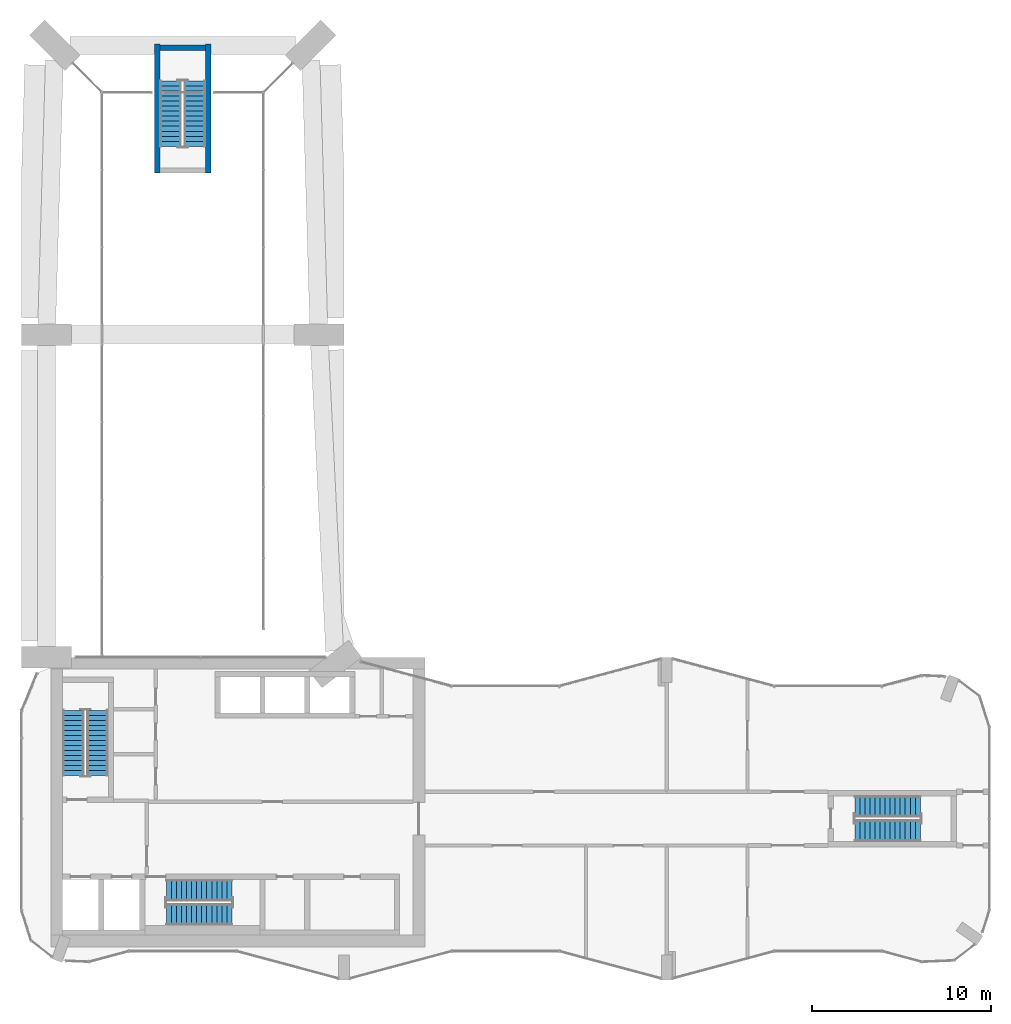
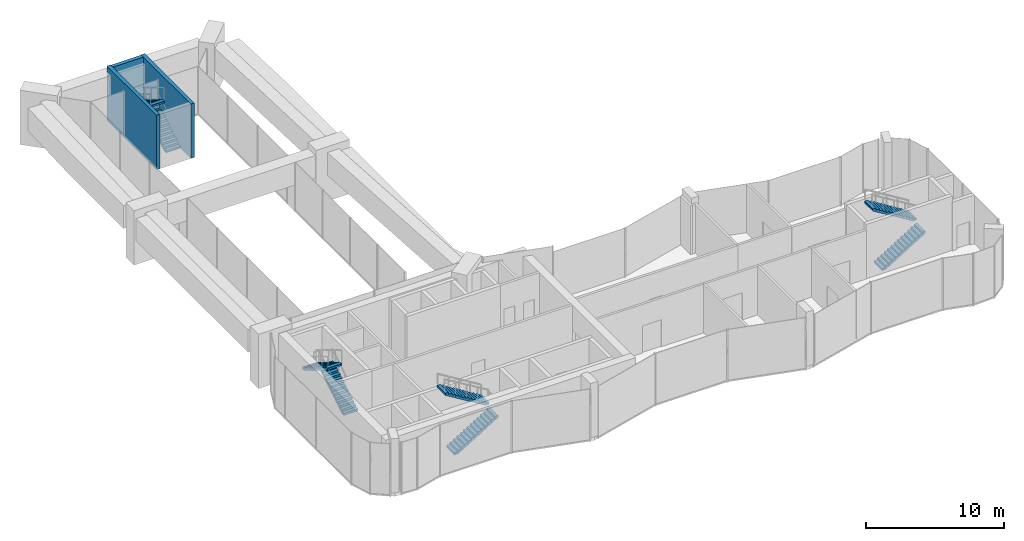
# One storey, part 11 of 13: 8 stair flights, 3 walls, 4 elements without a shape of their own.
"""IFC4 building model written with IfcOpenShell, lengths in metres."""

from ifc_helpers import new_model, si_unit, direction, frame, frame_2d, origin, place, context, subcontext, project, spatial, polyline, rectangle, outline, extrude, material, layer, layer_set, type_object, element, aggregate, save


model = new_model("IFC4")

# Units and contexts
model_context = context("Model", 3, precision=1e-05, world=origin(), true_north=direction((0.0, 1.0)))
body_context = subcontext(model_context, "Body", "Model", "MODEL_VIEW")
ifc_project = project(units=[si_unit("LENGTHUNIT", "METRE"), si_unit("AREAUNIT", "SQUARE_METRE"), si_unit("VOLUMEUNIT", "CUBIC_METRE"), si_unit("PLANEANGLEUNIT", "RADIAN"), si_unit("MASSUNIT", "GRAM", prefix="KILO")], contexts=[model_context])

# Site, building, storey
site_placement = place(None, origin())
site = spatial("IfcSite", under=ifc_project, at=site_placement, CompositionType="ELEMENT")
building_placement = place(site_placement, origin())
building = spatial("IfcBuilding", under=site, at=building_placement, Name="Plateau Cross Towers", CompositionType="ELEMENT")
storey_placement = place(building_placement, frame((0.0, 0.0, 134.60009765625)))
storey = spatial("IfcBuildingStorey", under=building, at=storey_placement, Name="L34", CompositionType="ELEMENT", Elevation=134.60009765625)

# Walls
ifc_material_1 = material(Name="Concrete C60/75", Category="concrete")
ifc_layer = layer(ifc_material_1, 0.300048828125)
ifc_layer_set = layer_set([ifc_layer], Name="Concrete C60/75")
wall_type = type_object("IfcWallType", Name="Stair tower wall 300", PredefinedType="SHEAR", material=ifc_layer_set)
wall_placement = place(storey_placement, frame((7.72509765625, 52.0, 0.0), z_axis=(0.0, 0.0, 1.0), x_axis=(1.0, 0.0, 0.0)))
element("IfcWall", 1, at=wall_placement, inside=storey, type_object=wall_type, Name="A-end-N-N@L34", PredefinedType="SHEAR", context=body_context, shape_type="SweptSolid", body=[
    extrude(rectangle(XDim=2.5498046875, YDim=0.300048828125, at=frame_2d((1.27490234375, 0.0))), origin(), (0.0, 0.0, 1.0), 4.7998046875),
])
for number, where, z_axis, x_axis, name in (
    (2, (7.574951171875, 45.0, 0.0), (0.0, 0.0, 1.0), (0.0, 1.0, 0.0), "A-end-N-W@L34"),
    (3, (10.425048828125, 45.0, 0.0), (0.0, 0.0, 1.0), (0.0, 1.0, 0.0), "A-end-N-E@L34"),
):
    element("IfcWall", number, at=place(storey_placement, frame(where, z_axis=z_axis, x_axis=x_axis)), inside=storey, type_object=wall_type, Name=name, PredefinedType="SHEAR", context=body_context, shape_type="SweptSolid", body=[
        extrude(rectangle(XDim=7.199951171875, YDim=0.300048828125, at=frame_2d((3.60009765625, 0.0))), origin(), (0.0, 0.0, 1.0), 4.7998046875),
    ])

# Stair, stair flights
ifc_material_2 = material(Name="Concrete C40/50", Category="concrete")
stair_type = type_object("IfcStairType", Name="ST-TWR", PredefinedType="HALF_TURN_STAIR", material=ifc_material_2)
stair_1_placement = place(storey_placement, origin())
stair_1 = element("IfcStair", 4, at=stair_1_placement, inside=storey, type_object=stair_type, Name="L34 Protected Exit Stair ST-1", PredefinedType="HALF_TURN_STAIR")
stair_flight_type = type_object("IfcStairFlightType", Name="SFL-RC", PredefinedType="STRAIGHT", material=ifc_material_2)
stair_flight_1_placement = place(storey_placement, frame((4.25, 11.39990234375, 0.0), z_axis=(0.0, 0.0, 1.0), x_axis=(0.0, 1.0, 0.0)))
stair_flight_1 = element("IfcStairFlight", 5, at=stair_flight_1_placement, type_object=stair_flight_type, Name="ST-1 flight 1", NumberOfRisers=14, NumberOfTreads=13, PredefinedType="STRAIGHT", RiserHeight=0.171428571, TreadLength=0.28, context=body_context, shape_type="SweptSolid", body=[
    extrude(outline(polyline([(-0.0048828125, -0.010009765625), (-0.0048828125, 0.0), (0.0, 0.0), (0.0, 0.17138671875), (0.280029296875, 0.17138671875), (0.280029296875, 0.3427734375), (0.56005859375, 0.3427734375), (0.56005859375, 0.514404296875), (0.840087890625, 0.514404296875), (0.840087890625, 0.685791015625), (1.1201171875, 0.685791015625), (1.1201171875, 0.857177734375), (1.39990234375, 0.857177734375), (1.39990234375, 1.028564453125), (1.679931640625, 1.028564453125), (1.679931640625, 1.199951171875), (1.9599609375, 1.199951171875), (1.9599609375, 1.371337890625), (2.239990234375, 1.371337890625), (2.239990234375, 1.54296875), (2.52001953125, 1.54296875), (2.52001953125, 1.71435546875), (2.800048828125, 1.71435546875), (2.800048828125, 1.8857421875), (3.080078125, 1.8857421875), (3.080078125, 2.05712890625), (3.360107421875, 2.05712890625), (3.360107421875, 2.228515625), (3.639892578125, 2.228515625), (3.64501953125, 2.218505859375), (3.64501953125, 2.052734375), (3.639892578125, 2.052734375), (0.287109375, 0.0), (0.02001953125, 0.0), (0.02001953125, -0.010009765625), (-0.0048828125, -0.010009765625)])), frame((0.0, 0.60009765625, 0.0), z_axis=(0.0, -1.0, 0.0), x_axis=(1.0, 0.0, 0.0)), (0.0, 0.0, 1.0), 1.199951171875),
])
stair_flight_2_placement = place(storey_placement, frame((2.89990234375, 15.0400390625, 2.39990234375), z_axis=(0.0, 0.0, 1.0), x_axis=(0.0, -1.0, 0.0)))
stair_flight_2 = element("IfcStairFlight", 6, at=stair_flight_2_placement, type_object=stair_flight_type, Name="ST-1 flight 2", NumberOfRisers=14, NumberOfTreads=13, PredefinedType="STRAIGHT", RiserHeight=0.171428571, TreadLength=0.28, context=body_context, shape_type="SweptSolid", body=[
    extrude(outline(polyline([(-0.0048828125, -0.010009765625), (-0.0048828125, 0.0), (0.0, 0.0), (0.0, 0.17138671875), (0.280029296875, 0.17138671875), (0.280029296875, 0.3427734375), (0.56005859375, 0.3427734375), (0.56005859375, 0.514404296875), (0.840087890625, 0.514404296875), (0.840087890625, 0.685791015625), (1.1201171875, 0.685791015625), (1.1201171875, 0.857177734375), (1.39990234375, 0.857177734375), (1.39990234375, 1.028564453125), (1.679931640625, 1.028564453125), (1.679931640625, 1.199951171875), (1.9599609375, 1.199951171875), (1.9599609375, 1.371337890625), (2.239990234375, 1.371337890625), (2.239990234375, 1.54296875), (2.52001953125, 1.54296875), (2.52001953125, 1.71435546875), (2.800048828125, 1.71435546875), (2.800048828125, 1.8857421875), (3.080078125, 1.8857421875), (3.080078125, 2.05712890625), (3.360107421875, 2.05712890625), (3.360107421875, 2.228515625), (3.639892578125, 2.228515625), (3.64501953125, 2.218505859375), (3.64501953125, 2.052734375), (3.639892578125, 2.052734375), (0.287109375, 0.0), (0.02001953125, 0.0), (0.02001953125, -0.010009765625), (-0.0048828125, -0.010009765625)])), frame((0.0, 0.60009765625, 0.0), z_axis=(0.0, -1.0, 0.0), x_axis=(1.0, 0.0, 0.0)), (0.0, 0.0, 1.0), 1.199951171875),
])
aggregate(stair_1, [stair_flight_1, stair_flight_2])

stair_2_placement = place(storey_placement, origin())
stair_2 = element("IfcStair", 7, at=stair_2_placement, inside=storey, type_object=stair_type, Name="L34 Protected Exit Stair ST-2", PredefinedType="HALF_TURN_STAIR")
stair_flight_3_placement = place(storey_placement, frame((8.10009765625, 3.64990234375, 0.0), z_axis=(0.0, 0.0, 1.0), x_axis=(1.0, 0.0, 0.0)))
stair_flight_3 = element("IfcStairFlight", 8, at=stair_flight_3_placement, type_object=stair_flight_type, Name="ST-2 flight 1", NumberOfRisers=14, NumberOfTreads=13, PredefinedType="STRAIGHT", RiserHeight=0.171428571, TreadLength=0.28, context=body_context, shape_type="SweptSolid", body=[
    extrude(outline(polyline([(-0.0048828125, -0.010009765625), (-0.0048828125, 0.0), (0.0, 0.0), (0.0, 0.17138671875), (0.280029296875, 0.17138671875), (0.280029296875, 0.3427734375), (0.56005859375, 0.3427734375), (0.56005859375, 0.514404296875), (0.840087890625, 0.514404296875), (0.840087890625, 0.685791015625), (1.1201171875, 0.685791015625), (1.1201171875, 0.857177734375), (1.39990234375, 0.857177734375), (1.39990234375, 1.028564453125), (1.679931640625, 1.028564453125), (1.679931640625, 1.199951171875), (1.9599609375, 1.199951171875), (1.9599609375, 1.371337890625), (2.239990234375, 1.371337890625), (2.239990234375, 1.54296875), (2.52001953125, 1.54296875), (2.52001953125, 1.71435546875), (2.800048828125, 1.71435546875), (2.800048828125, 1.8857421875), (3.080078125, 1.8857421875), (3.080078125, 2.05712890625), (3.360107421875, 2.05712890625), (3.360107421875, 2.228515625), (3.639892578125, 2.228515625), (3.64501953125, 2.218505859375), (3.64501953125, 2.052734375), (3.639892578125, 2.052734375), (0.287109375, 0.0), (0.02001953125, 0.0), (0.02001953125, -0.010009765625), (-0.0048828125, -0.010009765625)])), frame((0.0, 0.60009765625, 0.0), z_axis=(0.0, -1.0, 0.0), x_axis=(1.0, 0.0, 0.0)), (0.0, 0.0, 1.0), 1.199951171875),
])
stair_flight_4_placement = place(storey_placement, frame((11.739990234375, 5.0, 2.39990234375), z_axis=(0.0, 0.0, 1.0), x_axis=(-1.0, 0.0, 0.0)))
stair_flight_4 = element("IfcStairFlight", 9, at=stair_flight_4_placement, type_object=stair_flight_type, Name="ST-2 flight 2", NumberOfRisers=14, NumberOfTreads=13, PredefinedType="STRAIGHT", RiserHeight=0.171428571, TreadLength=0.28, context=body_context, shape_type="SweptSolid", body=[
    extrude(outline(polyline([(-0.0048828125, -0.010009765625), (-0.0048828125, 0.0), (0.0, 0.0), (0.0, 0.17138671875), (0.280029296875, 0.17138671875), (0.280029296875, 0.3427734375), (0.56005859375, 0.3427734375), (0.56005859375, 0.514404296875), (0.840087890625, 0.514404296875), (0.840087890625, 0.685791015625), (1.1201171875, 0.685791015625), (1.1201171875, 0.857177734375), (1.39990234375, 0.857177734375), (1.39990234375, 1.028564453125), (1.679931640625, 1.028564453125), (1.679931640625, 1.199951171875), (1.9599609375, 1.199951171875), (1.9599609375, 1.371337890625), (2.239990234375, 1.371337890625), (2.239990234375, 1.54296875), (2.52001953125, 1.54296875), (2.52001953125, 1.71435546875), (2.800048828125, 1.71435546875), (2.800048828125, 1.8857421875), (3.080078125, 1.8857421875), (3.080078125, 2.05712890625), (3.360107421875, 2.05712890625), (3.360107421875, 2.228515625), (3.639892578125, 2.228515625), (3.64501953125, 2.218505859375), (3.64501953125, 2.052734375), (3.639892578125, 2.052734375), (0.287109375, 0.0), (0.02001953125, 0.0), (0.02001953125, -0.010009765625), (-0.0048828125, -0.010009765625)])), frame((0.0, 0.60009765625, 0.0), z_axis=(0.0, -1.0, 0.0), x_axis=(1.0, 0.0, 0.0)), (0.0, 0.0, 1.0), 1.199951171875),
])
aggregate(stair_2, [stair_flight_3, stair_flight_4])

stair_3_placement = place(storey_placement, origin())
stair_3 = element("IfcStair", 10, at=stair_3_placement, inside=storey, type_object=stair_type, Name="L34 Protected Exit Stair E", PredefinedType="HALF_TURN_STAIR")
stair_flight_5_placement = place(storey_placement, frame((46.5, 8.324951171875, 0.0), z_axis=(0.0, 0.0, 1.0), x_axis=(1.0, 0.0, 0.0)))
stair_flight_5 = element("IfcStairFlight", 11, at=stair_flight_5_placement, type_object=stair_flight_type, Name="ES-E flight 1", NumberOfRisers=14, NumberOfTreads=13, PredefinedType="STRAIGHT", RiserHeight=0.171428571, TreadLength=0.28, context=body_context, shape_type="SweptSolid", body=[
    extrude(outline(polyline([(-0.0048828125, -0.010009765625), (-0.0048828125, 0.0), (0.0, 0.0), (0.0, 0.17138671875), (0.280029296875, 0.17138671875), (0.280029296875, 0.3427734375), (0.56005859375, 0.3427734375), (0.56005859375, 0.514404296875), (0.840087890625, 0.514404296875), (0.840087890625, 0.685791015625), (1.1201171875, 0.685791015625), (1.1201171875, 0.857177734375), (1.39990234375, 0.857177734375), (1.39990234375, 1.028564453125), (1.679931640625, 1.028564453125), (1.679931640625, 1.199951171875), (1.9599609375, 1.199951171875), (1.9599609375, 1.371337890625), (2.239990234375, 1.371337890625), (2.239990234375, 1.54296875), (2.52001953125, 1.54296875), (2.52001953125, 1.71435546875), (2.800048828125, 1.71435546875), (2.800048828125, 1.8857421875), (3.080078125, 1.8857421875), (3.080078125, 2.05712890625), (3.360107421875, 2.05712890625), (3.360107421875, 2.228515625), (3.639892578125, 2.228515625), (3.64501953125, 2.218505859375), (3.64501953125, 2.052734375), (3.639892578125, 2.052734375), (0.287109375, 0.0), (0.02001953125, 0.0), (0.02001953125, -0.010009765625), (-0.0048828125, -0.010009765625)])), frame((0.0, 0.60009765625, 0.0), z_axis=(0.0, -1.0, 0.0), x_axis=(1.0, 0.0, 0.0)), (0.0, 0.0, 1.0), 1.199951171875),
])
stair_flight_6_placement = place(storey_placement, frame((50.139892578125, 9.675048828125, 2.39990234375), z_axis=(0.0, 0.0, 1.0), x_axis=(-1.0, 0.0, 0.0)))
stair_flight_6 = element("IfcStairFlight", 12, at=stair_flight_6_placement, type_object=stair_flight_type, Name="ES-E flight 2", NumberOfRisers=14, NumberOfTreads=13, PredefinedType="STRAIGHT", RiserHeight=0.171428571, TreadLength=0.28, context=body_context, shape_type="SweptSolid", body=[
    extrude(outline(polyline([(-0.0048828125, -0.010009765625), (-0.0048828125, 0.0), (0.0, 0.0), (0.0, 0.17138671875), (0.280029296875, 0.17138671875), (0.280029296875, 0.3427734375), (0.56005859375, 0.3427734375), (0.56005859375, 0.514404296875), (0.840087890625, 0.514404296875), (0.840087890625, 0.685791015625), (1.1201171875, 0.685791015625), (1.1201171875, 0.857177734375), (1.39990234375, 0.857177734375), (1.39990234375, 1.028564453125), (1.679931640625, 1.028564453125), (1.679931640625, 1.199951171875), (1.9599609375, 1.199951171875), (1.9599609375, 1.371337890625), (2.239990234375, 1.371337890625), (2.239990234375, 1.54296875), (2.52001953125, 1.54296875), (2.52001953125, 1.71435546875), (2.800048828125, 1.71435546875), (2.800048828125, 1.8857421875), (3.080078125, 1.8857421875), (3.080078125, 2.05712890625), (3.360107421875, 2.05712890625), (3.360107421875, 2.228515625), (3.639892578125, 2.228515625), (3.64501953125, 2.218505859375), (3.64501953125, 2.052734375), (3.639892578125, 2.052734375), (0.287109375, 0.0), (0.02001953125, 0.0), (0.02001953125, -0.010009765625), (-0.0048828125, -0.010009765625)])), frame((0.0, 0.60009765625, 0.0), z_axis=(0.0, -1.0, 0.0), x_axis=(1.0, 0.0, 0.0)), (0.0, 0.0, 1.0), 1.199951171875),
])
aggregate(stair_3, [stair_flight_5, stair_flight_6])

stair_4_placement = place(storey_placement, origin())
stair_4 = element("IfcStair", 13, at=stair_4_placement, inside=storey, type_object=stair_type, Name="L34 Protected Exit Stair N", PredefinedType="HALF_TURN_STAIR")
stair_flight_7_placement = place(storey_placement, frame((9.675048828125, 46.5, 0.0), z_axis=(0.0, 0.0, 1.0), x_axis=(0.0, 1.0, 0.0)))
stair_flight_7 = element("IfcStairFlight", 14, at=stair_flight_7_placement, type_object=stair_flight_type, Name="ES-N flight 1", NumberOfRisers=14, NumberOfTreads=13, PredefinedType="STRAIGHT", RiserHeight=0.171428571, TreadLength=0.28, context=body_context, shape_type="SweptSolid", body=[
    extrude(outline(polyline([(-0.0048828125, -0.010009765625), (-0.0048828125, 0.0), (0.0, 0.0), (0.0, 0.17138671875), (0.280029296875, 0.17138671875), (0.280029296875, 0.3427734375), (0.56005859375, 0.3427734375), (0.56005859375, 0.514404296875), (0.840087890625, 0.514404296875), (0.840087890625, 0.685791015625), (1.1201171875, 0.685791015625), (1.1201171875, 0.857177734375), (1.39990234375, 0.857177734375), (1.39990234375, 1.028564453125), (1.679931640625, 1.028564453125), (1.679931640625, 1.199951171875), (1.9599609375, 1.199951171875), (1.9599609375, 1.371337890625), (2.239990234375, 1.371337890625), (2.239990234375, 1.54296875), (2.52001953125, 1.54296875), (2.52001953125, 1.71435546875), (2.800048828125, 1.71435546875), (2.800048828125, 1.8857421875), (3.080078125, 1.8857421875), (3.080078125, 2.05712890625), (3.360107421875, 2.05712890625), (3.360107421875, 2.228515625), (3.639892578125, 2.228515625), (3.64501953125, 2.218505859375), (3.64501953125, 2.052734375), (3.639892578125, 2.052734375), (0.287109375, 0.0), (0.02001953125, 0.0), (0.02001953125, -0.010009765625), (-0.0048828125, -0.010009765625)])), frame((0.0, 0.60009765625, 0.0), z_axis=(0.0, -1.0, 0.0), x_axis=(1.0, 0.0, 0.0)), (0.0, 0.0, 1.0), 1.199951171875),
])
stair_flight_8_placement = place(storey_placement, frame((8.324951171875, 50.139892578125, 2.39990234375), z_axis=(0.0, 0.0, 1.0), x_axis=(0.0, -1.0, 0.0)))
stair_flight_8 = element("IfcStairFlight", 15, at=stair_flight_8_placement, type_object=stair_flight_type, Name="ES-N flight 2", NumberOfRisers=14, NumberOfTreads=13, PredefinedType="STRAIGHT", RiserHeight=0.171428571, TreadLength=0.28, context=body_context, shape_type="SweptSolid", body=[
    extrude(outline(polyline([(-0.0048828125, -0.010009765625), (-0.0048828125, 0.0), (0.0, 0.0), (0.0, 0.17138671875), (0.280029296875, 0.17138671875), (0.280029296875, 0.3427734375), (0.56005859375, 0.3427734375), (0.56005859375, 0.514404296875), (0.840087890625, 0.514404296875), (0.840087890625, 0.685791015625), (1.1201171875, 0.685791015625), (1.1201171875, 0.857177734375), (1.39990234375, 0.857177734375), (1.39990234375, 1.028564453125), (1.679931640625, 1.028564453125), (1.679931640625, 1.199951171875), (1.9599609375, 1.199951171875), (1.9599609375, 1.371337890625), (2.239990234375, 1.371337890625), (2.239990234375, 1.54296875), (2.52001953125, 1.54296875), (2.52001953125, 1.71435546875), (2.800048828125, 1.71435546875), (2.800048828125, 1.8857421875), (3.080078125, 1.8857421875), (3.080078125, 2.05712890625), (3.360107421875, 2.05712890625), (3.360107421875, 2.228515625), (3.639892578125, 2.228515625), (3.64501953125, 2.218505859375), (3.64501953125, 2.052734375), (3.639892578125, 2.052734375), (0.287109375, 0.0), (0.02001953125, 0.0), (0.02001953125, -0.010009765625), (-0.0048828125, -0.010009765625)])), frame((0.0, 0.60009765625, 0.0), z_axis=(0.0, -1.0, 0.0), x_axis=(1.0, 0.0, 0.0)), (0.0, 0.0, 1.0), 1.199951171875),
])
aggregate(stair_4, [stair_flight_7, stair_flight_8])

save(model, "model.ifc")
